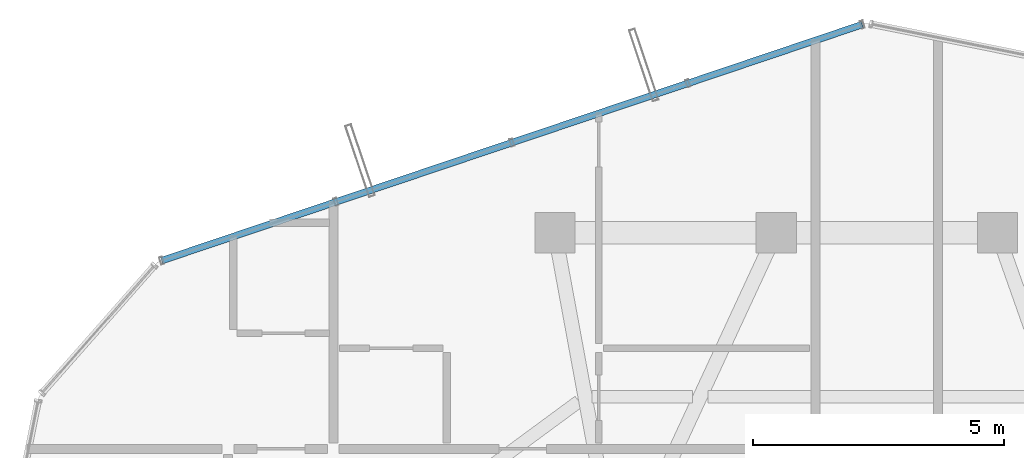
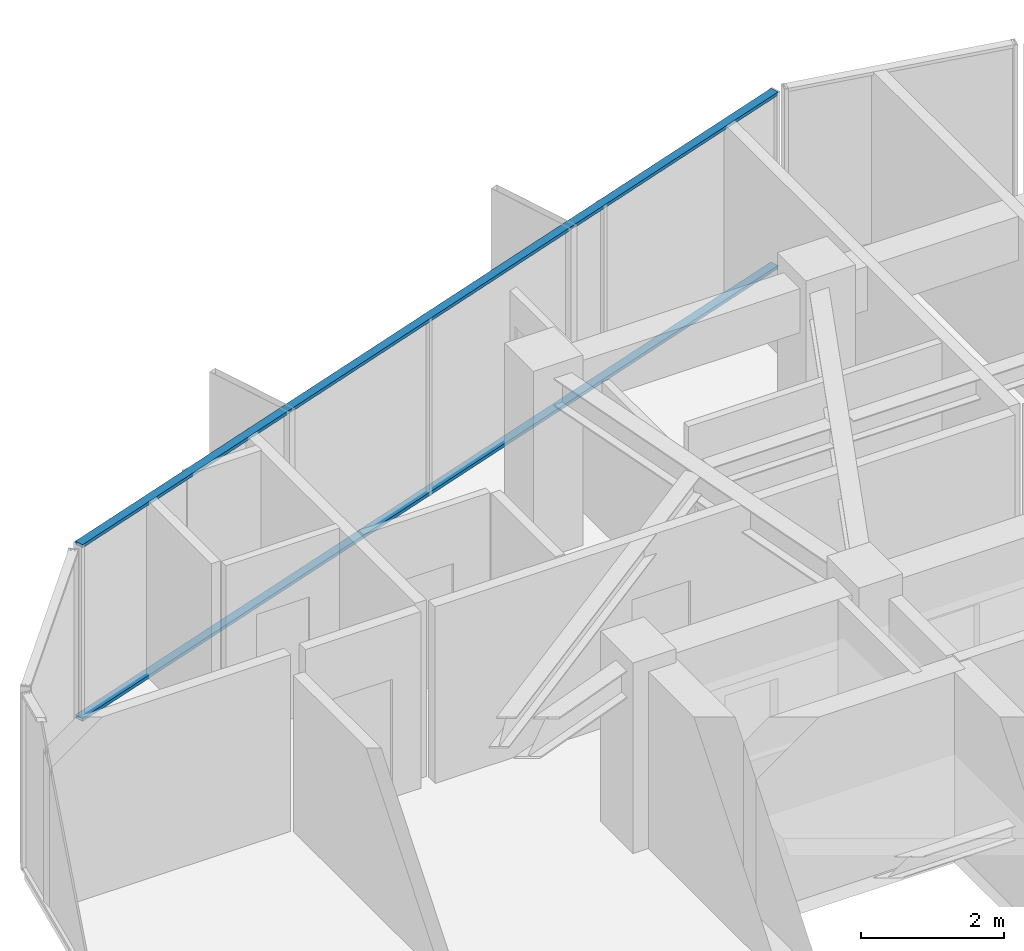
# One storey, part 21 of 28: 2 members, 1 element without a shape of its own.
"""IFC4 building model written with IfcOpenShell, lengths in metres."""

import ifcopenshell
import ifcopenshell.guid

model = None  # the IFC model being written
_history = None  # IfcOwnerHistory: only IFC2X3 demands one
_inside = {}  # id of a spatial element -> (the spatial element, [elements in it])
_under = {}  # id of a project, library or spatial element -> (it, [spatial elements below it])
_declared = {}  # id of a project -> (the project, [libraries it declares])
_typed = {}  # id of a type object -> (the type object, [elements of that type])
_made_of = {}  # id of a material, layer set ... -> (it, [elements and type objects made of it])


def new_model(schema):
    """Start an empty IFC model of exactly this schema.

    Asked for "IFC4X3", IfcOpenShell would pick the latest addendum, in which some entities
    have other attributes; the version numbers below select the first issue.
    IFC2X3 requires an IfcOwnerHistory on every rooted entity: one is made here for all.
    """
    global model, _history
    if schema == "IFC4X3":
        model = ifcopenshell.file(schema_version=(4, 3, 0, 0))
    else:
        model = ifcopenshell.file(schema=schema)
    _inside.clear()
    _under.clear()
    _declared.clear()
    _typed.clear()
    _made_of.clear()
    _history = None
    if model.schema == "IFC2X3":
        org = make("IfcOrganization", Name="unknown")
        user = make(
            "IfcPersonAndOrganization",
            ThePerson=make("IfcPerson", FamilyName="unknown"),
            TheOrganization=org,
        )
        app = make(
            "IfcApplication",
            ApplicationDeveloper=org,
            Version="unknown",
            ApplicationFullName="unknown",
            ApplicationIdentifier="unknown",
        )
        _history = make(
            "IfcOwnerHistory",
            OwningUser=user,
            OwningApplication=app,
            ChangeAction="ADDED",
            CreationDate=0,
        )
    return model


def make(cls, **values):
    """One entity of the class cls with the attributes given. An attribute that is None is left unset."""
    return model.create_entity(
        cls, **{name: value for name, value in values.items() if value is not None}
    )


def rooted(cls, **values):
    """An entity with a GlobalId (a new one), such as an element, a storey or a relation."""
    return make(cls, GlobalId=ifcopenshell.guid.new(), OwnerHistory=_history, **values)


def si_unit(unit_type, name, prefix=None):
    """IfcSIUnit, for example si_unit("LENGTHUNIT", "METRE", prefix="MILLI")."""
    return make("IfcSIUnit", UnitType=unit_type, Prefix=prefix, Name=name)


def assignment(units):
    """IfcUnitAssignment: the units of a project."""
    return None if units is None else make("IfcUnitAssignment", Units=units)


def point(xyz):
    """IfcCartesianPoint."""
    return None if xyz is None else make("IfcCartesianPoint", Coordinates=xyz)


def direction(xyz):
    """IfcDirection."""
    return None if xyz is None else make("IfcDirection", DirectionRatios=xyz)


def frame(location, z_axis=None, x_axis=None):
    """IfcAxis2Placement3D, a coordinate frame: its origin and axes. An axis left out is left unset."""
    return make(
        "IfcAxis2Placement3D",
        Location=point(location),
        Axis=direction(z_axis),
        RefDirection=direction(x_axis),
    )


def frame_2d(location, x_axis=None):
    """IfcAxis2Placement2D, a coordinate frame in the plane: its origin and x axis."""
    return make(
        "IfcAxis2Placement2D", Location=point(location), RefDirection=direction(x_axis)
    )


def origin():
    """The frame at (0, 0, 0) with its axes left unset."""
    return frame((0.0, 0.0, 0.0))


def origin_2d():
    """The frame at (0, 0) in the plane with its x axis left unset."""
    return frame_2d((0.0, 0.0))


def place(relative_to, where):
    """IfcLocalPlacement: puts the frame where relative to a parent placement (None: the world)."""
    return make(
        "IfcLocalPlacement", PlacementRelTo=relative_to, RelativePlacement=where
    )


def context(
    kind, dimensions, precision=None, world=None, true_north=None, identifier=None
):
    """IfcGeometricRepresentationContext, for example the 3D "Model" context."""
    return make(
        "IfcGeometricRepresentationContext",
        ContextIdentifier=identifier,
        ContextType=kind,
        CoordinateSpaceDimension=dimensions,
        Precision=precision,
        WorldCoordinateSystem=world,
        TrueNorth=true_north,
    )


def subcontext(parent, identifier, kind, view, scale=None):
    """IfcGeometricRepresentationSubContext, for example "Body" below "Model"."""
    return make(
        "IfcGeometricRepresentationSubContext",
        ContextIdentifier=identifier,
        ContextType=kind,
        ParentContext=parent,
        TargetScale=scale,
        TargetView=view,
    )


def project(units=None, contexts=None):
    """IfcProject with its units and contexts."""
    return rooted(
        "IfcProject",
        Name="project",
        RepresentationContexts=contexts,
        UnitsInContext=assignment(units),
    )


def spatial(cls, under=None, at=None, **own):
    """A site, building, storey or space (cls), placed at a placement, below another one or the project."""
    s = rooted(cls, ObjectPlacement=at, **own)
    if under is not None:
        _under.setdefault(under.id(), (under, []))[1].append(s)
    return s


def profile(cls, at=None, kind="AREA", **sizes):
    """A parametric profile (cls). Its sizes go by their IFC names, for example OverallWidth=200.0."""
    return make(cls, ProfileType=kind, Position=at, **sizes)


def hollow_rectangle(**sizes):
    """IfcRectangleHollowProfileDef."""
    return profile("IfcRectangleHollowProfileDef", **sizes)


def extrude(swept, where, along, depth):
    """IfcExtrudedAreaSolid: the profile swept, set in the frame where, extruded along a direction by depth."""
    return make(
        "IfcExtrudedAreaSolid",
        SweptArea=swept,
        Position=where,
        ExtrudedDirection=direction(along),
        Depth=depth,
    )


def shape(context_of_items, identifier, shape_type, items):
    """IfcShapeRepresentation: the items that make up one representation, for example the "Body"."""
    return make(
        "IfcShapeRepresentation",
        ContextOfItems=context_of_items,
        RepresentationIdentifier=identifier,
        RepresentationType=shape_type,
        Items=items,
    )


def source(mapping_origin, context_of_items, identifier, shape_type, items):
    """IfcRepresentationMap: a shape defined once, which mapped items show again and again."""
    return make(
        "IfcRepresentationMap",
        MappingOrigin=mapping_origin,
        MappedRepresentation=shape(context_of_items, identifier, shape_type, items),
    )


def transform(
    local_origin,
    x_axis=None,
    y_axis=None,
    z_axis=None,
    scale=None,
    scale2=None,
    scale3=None,
    uniform=True,
):
    """IfcCartesianTransformationOperator3D, or its non-uniform kind. x_axis, y_axis, z_axis: its Axis1, 2, 3."""
    if uniform:
        return make(
            "IfcCartesianTransformationOperator3D",
            Axis1=direction(x_axis),
            Axis2=direction(y_axis),
            LocalOrigin=point(local_origin),
            Scale=scale,
            Axis3=direction(z_axis),
        )
    return make(
        "IfcCartesianTransformationOperator3DnonUniform",
        Axis1=direction(x_axis),
        Axis2=direction(y_axis),
        LocalOrigin=point(local_origin),
        Scale=scale,
        Axis3=direction(z_axis),
        Scale2=scale2,
        Scale3=scale3,
    )


def mapped(mapping_source, mapping_target):
    """IfcMappedItem: shows the shape of a source again, moved by a transform."""
    return make(
        "IfcMappedItem", MappingSource=mapping_source, MappingTarget=mapping_target
    )


def material(Name=None, Category=None):
    """IfcMaterial."""
    return make("IfcMaterial", Name=Name, Category=Category)


def layer(
    of_material, thickness, ventilated=None, Name=None, Category=None, Priority=None
):
    """IfcMaterialLayer: one layer of a wall or slab, of a material (None: an air gap)."""
    return make(
        "IfcMaterialLayer",
        Material=of_material,
        LayerThickness=thickness,
        IsVentilated=ventilated,
        Name=Name,
        Category=Category,
        Priority=Priority,
    )


def layer_set(layers, Name=None):
    """IfcMaterialLayerSet."""
    return make("IfcMaterialLayerSet", MaterialLayers=layers, LayerSetName=Name)


def material_profile(
    of_material, cross_section, Name=None, Category=None, Priority=None
):
    """IfcMaterialProfile: a cross section and its material."""
    return make(
        "IfcMaterialProfile",
        Name=Name,
        Material=of_material,
        Profile=cross_section,
        Priority=Priority,
        Category=Category,
    )


def profile_set(profiles, Name=None, composite=None):
    """IfcMaterialProfileSet."""
    return make(
        "IfcMaterialProfileSet",
        Name=Name,
        MaterialProfiles=profiles,
        CompositeProfile=composite,
    )


def made_of(thing, what):
    """Note that an element or type object is made of a material, layer set ...; save() writes the relation."""
    if what is not None:
        _made_of.setdefault(what.id(), (what, []))[1].append(thing)
    return thing


def type_object(cls, material=None, **own):
    """A type object (cls), such as IfcWallType, which elements share."""
    return made_of(rooted(cls, **own), material)


def element(
    cls,
    number,
    at=None,
    inside=None,
    cuts=None,
    type_object=None,
    material=None,
    context=None,
    identifier="Body",
    shape_type=None,
    held_by="IfcProductDefinitionShape",
    body=None,
    shapes=None,
    **own,
):
    """One element of the class cls, such as IfcWall. Its Tag is "e" and its number.

    at: its placement. inside: the storey or other place that contains it. cuts: it is an
    opening in that element (IfcRelVoidsElement). A single representation is given by context,
    identifier, shape_type and body (its items); several are given by shapes. held_by: the class
    of the entity that holds the representations. save() writes the other relations.
    """
    e = rooted(cls, Tag="e%d" % number, ObjectPlacement=at, **own)
    if body is not None:
        shapes = [shape(context, identifier, shape_type, body)]
    if shapes is not None:
        e.Representation = make(held_by, Representations=shapes)
    if inside is not None:
        _inside.setdefault(inside.id(), (inside, []))[1].append(e)
    if cuts is not None:
        rooted(
            "IfcRelVoidsElement", RelatingBuildingElement=cuts, RelatedOpeningElement=e
        )
    if type_object is not None:
        _typed.setdefault(type_object.id(), (type_object, []))[1].append(e)
    return made_of(e, material)


def aggregate(whole, parts):
    """IfcRelAggregates: a whole, such as a stair, and the parts it consists of."""
    return rooted("IfcRelAggregates", RelatingObject=whole, RelatedObjects=parts)


def save(model, path):
    """Write the relations noted so far, then the file.

    IfcRelAggregates (storeys below a building ...), IfcRelContainedInSpatialStructure (elements
    in a storey), IfcRelDefinesByType, IfcRelAssociatesMaterial and IfcRelDeclares: one each for
    every whole, place, type object, material and project.
    """
    for whole, parts in _under.values():
        aggregate(whole, parts)
    for where, things in _inside.values():
        rooted(
            "IfcRelContainedInSpatialStructure",
            RelatedElements=things,
            RelatingStructure=where,
        )
    for kind, things in _typed.values():
        rooted("IfcRelDefinesByType", RelatedObjects=things, RelatingType=kind)
    for what, things in _made_of.values():
        rooted("IfcRelAssociatesMaterial", RelatedObjects=things, RelatingMaterial=what)
    for by, libraries in _declared.values():
        rooted("IfcRelDeclares", RelatingContext=by, RelatedDefinitions=libraries)
    model.write(path)


model = new_model("IFC4")

# Units and contexts
model_context = context("Model", 3, precision=1e-05, world=origin(), true_north=direction((0.0, 1.0)))
body_context = subcontext(model_context, "Body", "Model", "MODEL_VIEW")
ifc_project = project(units=[si_unit("LENGTHUNIT", "METRE"), si_unit("AREAUNIT", "SQUARE_METRE"), si_unit("VOLUMEUNIT", "CUBIC_METRE"), si_unit("PLANEANGLEUNIT", "RADIAN"), si_unit("MASSUNIT", "GRAM", prefix="KILO")], contexts=[model_context])

# Site, building, storey
site_placement = place(None, origin())
site = spatial("IfcSite", under=ifc_project, at=site_placement, CompositionType="ELEMENT")
building_placement = place(site_placement, origin())
building = spatial("IfcBuilding", under=site, at=building_placement, Name="Veraguas Prism Commons", CompositionType="ELEMENT")
storey_placement = place(building_placement, frame((0.0, 0.0, 248.0)))
storey = spatial("IfcBuildingStorey", under=building, at=storey_placement, Name="L70", CompositionType="ELEMENT", Elevation=248.0)

# Curtain wall, members
ifc_material = material(Name="Anodised aluminium EN AW-6063 T6", Category="aluminium")
ifc_layer = layer(ifc_material, 0.14990234375, Name="Unitised Flush Curtain Wall Zone 4", Category="aluminium")
ifc_layer_set = layer_set([ifc_layer], Name="Anodised aluminium EN AW-6063 T6")
curtain_wall_type = type_object("IfcCurtainWallType", Name="Unitised Flush Curtain Wall Zone 4", PredefinedType="NOTDEFINED", material=ifc_layer_set)
curtain_wall_placement = place(storey_placement, origin())
curtain_wall = element("IfcCurtainWall", 1, at=curtain_wall_placement, inside=storey, type_object=curtain_wall_type, Name="Tower Facade Curtain Wall L70-F2", PredefinedType="NOTDEFINED")
ifc_material_profile = material_profile(ifc_material, hollow_rectangle(XDim=0.054931640625, YDim=0.135009765625, WallThickness=0.0029296875, at=origin_2d()), Name="AL55X135X3")
ifc_profile_set = profile_set([ifc_material_profile], Name="Anodised aluminium EN AW-6063 T6")
member_type = type_object("IfcMemberType", Name="Curtain Wall Transom Standard AL 55x135x3", PredefinedType="USERDEFINED", material=ifc_profile_set)
shared_shape = source(origin(), body_context, "Body", "SweptSolid", [
    extrude(hollow_rectangle(XDim=0.054931640625, YDim=0.135009765625, WallThickness=0.0029296875, at=origin_2d()), origin(), (0.0, 0.0, 1.0), 14.7060546875),
])
member_1_placement = place(storey_placement, frame((25.71435546875, 41.94091796875, 0.027587890625), z_axis=(-0.947655693311, -0.319294044627, 0.0), x_axis=(0.0, 0.0, 1.0)))
member_1 = element("IfcMember", 2, at=member_1_placement, type_object=member_type, Name="CW-Z4 Transom 1", ObjectType="TRANSOM", PredefinedType="USERDEFINED", context=body_context, shape_type="MappedRepresentation", body=[
    mapped(shared_shape, transform((0.0, 0.0, 0.0), scale=1.0)),
])
member_2_placement = place(storey_placement, frame((25.71435546875, 41.94091796875, 2.987548828125), z_axis=(-0.947655693311, -0.319294044627, 0.0), x_axis=(0.0, 0.0, 1.0)))
member_2 = element("IfcMember", 3, at=member_2_placement, type_object=member_type, Name="CW-Z4 Transom 2", ObjectType="TRANSOM", PredefinedType="USERDEFINED", context=body_context, shape_type="MappedRepresentation", body=[
    mapped(shared_shape, transform((0.0, 0.0, 0.0), scale=1.0)),
])
aggregate(curtain_wall, [member_1, member_2])

save(model, "model.ifc")
